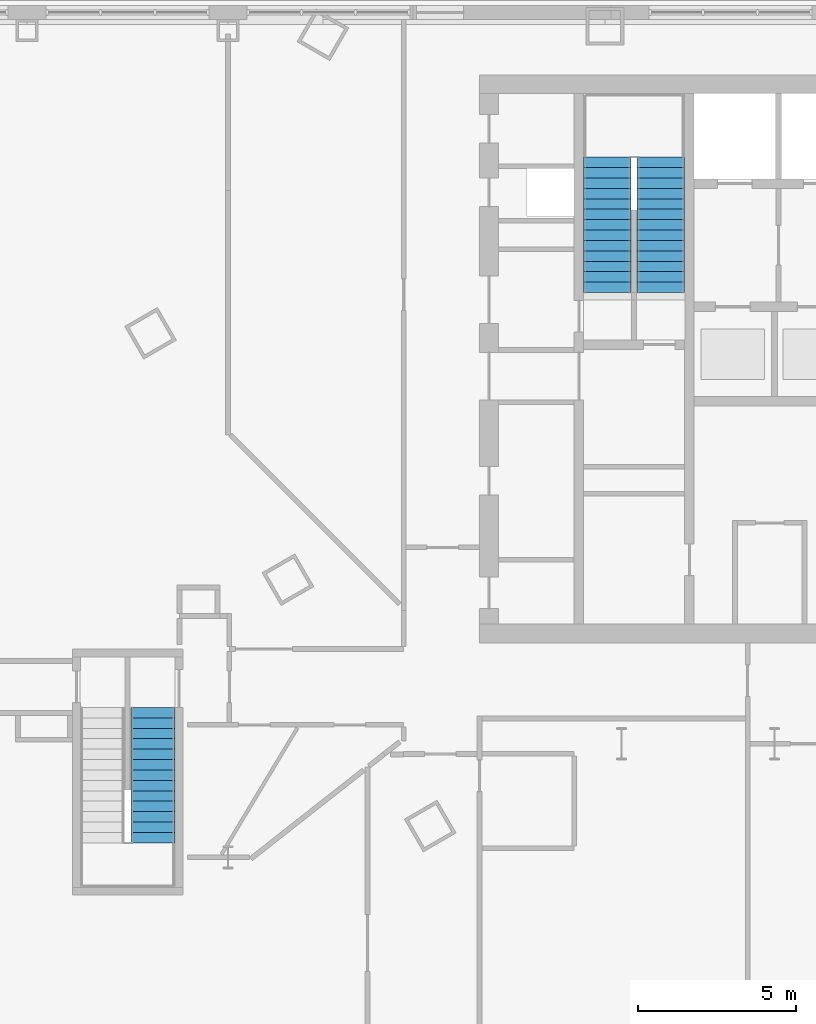
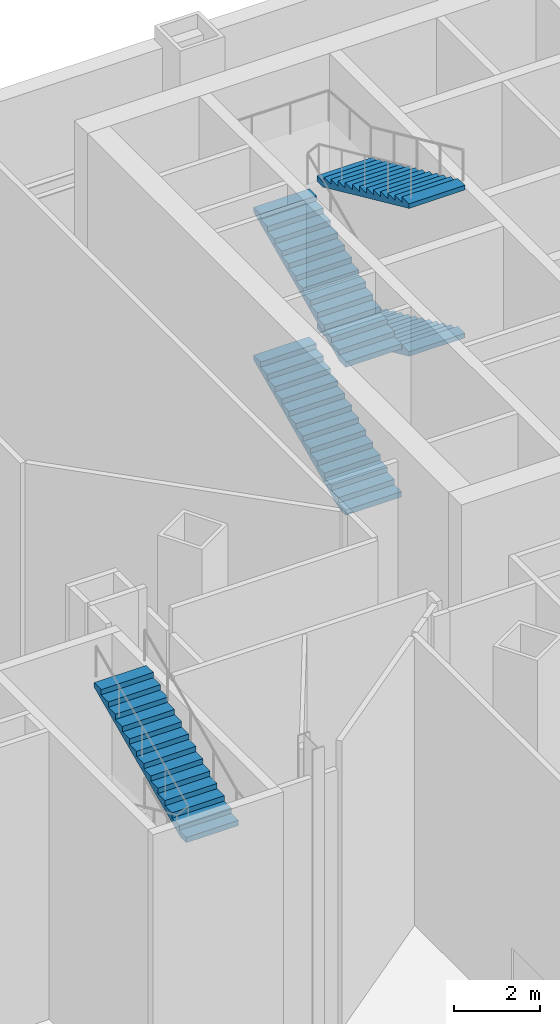
# One storey, part 28 of 34: 5 stair flights, 2 elements without a shape of their own.
"""IFC4 building model written with IfcOpenShell, lengths in metres."""

import ifcopenshell
import ifcopenshell.guid

model = None  # the IFC model being written
_history = None  # IfcOwnerHistory: only IFC2X3 demands one
_inside = {}  # id of a spatial element -> (the spatial element, [elements in it])
_under = {}  # id of a project, library or spatial element -> (it, [spatial elements below it])
_declared = {}  # id of a project -> (the project, [libraries it declares])
_typed = {}  # id of a type object -> (the type object, [elements of that type])
_made_of = {}  # id of a material, layer set ... -> (it, [elements and type objects made of it])


def new_model(schema):
    """Start an empty IFC model of exactly this schema.

    Asked for "IFC4X3", IfcOpenShell would pick the latest addendum, in which some entities
    have other attributes; the version numbers below select the first issue.
    IFC2X3 requires an IfcOwnerHistory on every rooted entity: one is made here for all.
    """
    global model, _history
    if schema == "IFC4X3":
        model = ifcopenshell.file(schema_version=(4, 3, 0, 0))
    else:
        model = ifcopenshell.file(schema=schema)
    _inside.clear()
    _under.clear()
    _declared.clear()
    _typed.clear()
    _made_of.clear()
    _history = None
    if model.schema == "IFC2X3":
        org = make("IfcOrganization", Name="unknown")
        user = make(
            "IfcPersonAndOrganization",
            ThePerson=make("IfcPerson", FamilyName="unknown"),
            TheOrganization=org,
        )
        app = make(
            "IfcApplication",
            ApplicationDeveloper=org,
            Version="unknown",
            ApplicationFullName="unknown",
            ApplicationIdentifier="unknown",
        )
        _history = make(
            "IfcOwnerHistory",
            OwningUser=user,
            OwningApplication=app,
            ChangeAction="ADDED",
            CreationDate=0,
        )
    return model


def make(cls, **values):
    """One entity of the class cls with the attributes given. An attribute that is None is left unset."""
    return model.create_entity(
        cls, **{name: value for name, value in values.items() if value is not None}
    )


def rooted(cls, **values):
    """An entity with a GlobalId (a new one), such as an element, a storey or a relation."""
    return make(cls, GlobalId=ifcopenshell.guid.new(), OwnerHistory=_history, **values)


def si_unit(unit_type, name, prefix=None):
    """IfcSIUnit, for example si_unit("LENGTHUNIT", "METRE", prefix="MILLI")."""
    return make("IfcSIUnit", UnitType=unit_type, Prefix=prefix, Name=name)


def assignment(units):
    """IfcUnitAssignment: the units of a project."""
    return None if units is None else make("IfcUnitAssignment", Units=units)


def point(xyz):
    """IfcCartesianPoint."""
    return None if xyz is None else make("IfcCartesianPoint", Coordinates=xyz)


def direction(xyz):
    """IfcDirection."""
    return None if xyz is None else make("IfcDirection", DirectionRatios=xyz)


def frame(location, z_axis=None, x_axis=None):
    """IfcAxis2Placement3D, a coordinate frame: its origin and axes. An axis left out is left unset."""
    return make(
        "IfcAxis2Placement3D",
        Location=point(location),
        Axis=direction(z_axis),
        RefDirection=direction(x_axis),
    )


def origin():
    """The frame at (0, 0, 0) with its axes left unset."""
    return frame((0.0, 0.0, 0.0))


def place(relative_to, where):
    """IfcLocalPlacement: puts the frame where relative to a parent placement (None: the world)."""
    return make(
        "IfcLocalPlacement", PlacementRelTo=relative_to, RelativePlacement=where
    )


def context(
    kind, dimensions, precision=None, world=None, true_north=None, identifier=None
):
    """IfcGeometricRepresentationContext, for example the 3D "Model" context."""
    return make(
        "IfcGeometricRepresentationContext",
        ContextIdentifier=identifier,
        ContextType=kind,
        CoordinateSpaceDimension=dimensions,
        Precision=precision,
        WorldCoordinateSystem=world,
        TrueNorth=true_north,
    )


def subcontext(parent, identifier, kind, view, scale=None):
    """IfcGeometricRepresentationSubContext, for example "Body" below "Model"."""
    return make(
        "IfcGeometricRepresentationSubContext",
        ContextIdentifier=identifier,
        ContextType=kind,
        ParentContext=parent,
        TargetScale=scale,
        TargetView=view,
    )


def project(units=None, contexts=None):
    """IfcProject with its units and contexts."""
    return rooted(
        "IfcProject",
        Name="project",
        RepresentationContexts=contexts,
        UnitsInContext=assignment(units),
    )


def spatial(cls, under=None, at=None, **own):
    """A site, building, storey or space (cls), placed at a placement, below another one or the project."""
    s = rooted(cls, ObjectPlacement=at, **own)
    if under is not None:
        _under.setdefault(under.id(), (under, []))[1].append(s)
    return s


def point_list(points):
    """IfcCartesianPointList2D or 3D."""
    cls = (
        "IfcCartesianPointList2D" if len(points[0]) == 2 else "IfcCartesianPointList3D"
    )
    return make(cls, CoordList=points)


def polygons(points, faces, closed=None, point_numbers=None):
    """IfcPolygonalFaceSet: a face is its outer loop, then its inner loops; points numbered from 1."""
    made = []
    for loops in faces:
        if len(loops) == 1:
            made.append(make("IfcIndexedPolygonalFace", CoordIndex=loops[0]))
        else:
            made.append(
                make(
                    "IfcIndexedPolygonalFaceWithVoids",
                    CoordIndex=loops[0],
                    InnerCoordIndices=loops[1:],
                )
            )
    return make(
        "IfcPolygonalFaceSet",
        Coordinates=point_list(points),
        Closed=closed,
        Faces=made,
        PnIndex=point_numbers,
    )


def shape(context_of_items, identifier, shape_type, items):
    """IfcShapeRepresentation: the items that make up one representation, for example the "Body"."""
    return make(
        "IfcShapeRepresentation",
        ContextOfItems=context_of_items,
        RepresentationIdentifier=identifier,
        RepresentationType=shape_type,
        Items=items,
    )


def material(Name=None, Category=None):
    """IfcMaterial."""
    return make("IfcMaterial", Name=Name, Category=Category)


def made_of(thing, what):
    """Note that an element or type object is made of a material, layer set ...; save() writes the relation."""
    if what is not None:
        _made_of.setdefault(what.id(), (what, []))[1].append(thing)
    return thing


def type_object(cls, material=None, **own):
    """A type object (cls), such as IfcWallType, which elements share."""
    return made_of(rooted(cls, **own), material)


def element(
    cls,
    number,
    at=None,
    inside=None,
    cuts=None,
    type_object=None,
    material=None,
    context=None,
    identifier="Body",
    shape_type=None,
    held_by="IfcProductDefinitionShape",
    body=None,
    shapes=None,
    **own,
):
    """One element of the class cls, such as IfcWall. Its Tag is "e" and its number.

    at: its placement. inside: the storey or other place that contains it. cuts: it is an
    opening in that element (IfcRelVoidsElement). A single representation is given by context,
    identifier, shape_type and body (its items); several are given by shapes. held_by: the class
    of the entity that holds the representations. save() writes the other relations.
    """
    e = rooted(cls, Tag="e%d" % number, ObjectPlacement=at, **own)
    if body is not None:
        shapes = [shape(context, identifier, shape_type, body)]
    if shapes is not None:
        e.Representation = make(held_by, Representations=shapes)
    if inside is not None:
        _inside.setdefault(inside.id(), (inside, []))[1].append(e)
    if cuts is not None:
        rooted(
            "IfcRelVoidsElement", RelatingBuildingElement=cuts, RelatedOpeningElement=e
        )
    if type_object is not None:
        _typed.setdefault(type_object.id(), (type_object, []))[1].append(e)
    return made_of(e, material)


def aggregate(whole, parts):
    """IfcRelAggregates: a whole, such as a stair, and the parts it consists of."""
    return rooted("IfcRelAggregates", RelatingObject=whole, RelatedObjects=parts)


def save(model, path):
    """Write the relations noted so far, then the file.

    IfcRelAggregates (storeys below a building ...), IfcRelContainedInSpatialStructure (elements
    in a storey), IfcRelDefinesByType, IfcRelAssociatesMaterial and IfcRelDeclares: one each for
    every whole, place, type object, material and project.
    """
    for whole, parts in _under.values():
        aggregate(whole, parts)
    for where, things in _inside.values():
        rooted(
            "IfcRelContainedInSpatialStructure",
            RelatedElements=things,
            RelatingStructure=where,
        )
    for kind, things in _typed.values():
        rooted("IfcRelDefinesByType", RelatedObjects=things, RelatingType=kind)
    for what, things in _made_of.values():
        rooted("IfcRelAssociatesMaterial", RelatedObjects=things, RelatingMaterial=what)
    for by, libraries in _declared.values():
        rooted("IfcRelDeclares", RelatingContext=by, RelatedDefinitions=libraries)
    model.write(path)


model = new_model("IFC4")

# Units and contexts
model_context = context("Model", 3, precision=1e-05, world=origin(), true_north=direction((0.0, 1.0)))
body_context = subcontext(model_context, "Body", "Model", "MODEL_VIEW")
ifc_project = project(units=[si_unit("LENGTHUNIT", "METRE"), si_unit("AREAUNIT", "SQUARE_METRE"), si_unit("VOLUMEUNIT", "CUBIC_METRE"), si_unit("PLANEANGLEUNIT", "RADIAN"), si_unit("MASSUNIT", "GRAM", prefix="KILO")], contexts=[model_context])

# Site, building, storey
site_placement = place(None, origin())
site = spatial("IfcSite", under=ifc_project, at=site_placement, CompositionType="ELEMENT")
building_placement = place(site_placement, origin())
building = spatial("IfcBuilding", under=site, at=building_placement, Name="Njiva Tower", CompositionType="ELEMENT")
storey_placement = place(building_placement, origin())
storey = spatial("IfcBuildingStorey", under=building, at=storey_placement, Name="L00", CompositionType="ELEMENT", Elevation=0.0)

# Stair, stair flight
ifc_material = material(Name="Concrete C40/50", Category="concrete")
stair_type_1 = type_object("IfcStairType", Name="ST2 Exit stair 1400", PredefinedType="HALF_TURN_STAIR", material=ifc_material)
stair_1_placement = place(storey_placement, origin())
stair_1 = element("IfcStair", 1, at=stair_1_placement, inside=storey, type_object=stair_type_1, Name="Stair F", PredefinedType="DOUBLE_RETURN_STAIR")
stair_flight_type_1 = type_object("IfcStairFlightType", Name="FL2 Stair flight 1400", PredefinedType="STRAIGHT", material=ifc_material)
stair_flight_1_placement = place(storey_placement, frame((-27.85, -6.34, 6.3), z_axis=(0.0, 0.0, 1.0), x_axis=(0.0, 1.0, 0.0)))
stair_flight_1 = element("IfcStairFlight", 2, at=stair_flight_1_placement, type_object=stair_flight_type_1, Name="ST-F flight 4", NumberOfRisers=14, NumberOfTreads=13, PredefinedType="STRAIGHT", RiserHeight=0.15, TreadLength=0.33, context=body_context, shape_type="Tessellation", body=[
    polygons([(0.0, 0.7, 0.0), (0.0, 0.35, 0.0), (0.0, 0.0, 0.0), (0.0, -0.35, 0.0), (0.0, -0.7, 0.0), (0.0, 0.7, 0.15), (0.0, 0.35, 0.15), (0.0, 0.0, 0.15), (0.0, -0.35, 0.15), (0.0, -0.7, 0.15), (0.33, 0.7, 0.15), (0.33, 0.35, 0.15), (0.33, 0.0, 0.15), (0.33, -0.35, 0.15), (0.33, -0.7, 0.15), (0.33, 0.7, 0.3), (0.33, 0.35, 0.3), (0.33, 0.0, 0.3), (0.33, -0.35, 0.3), (0.33, -0.7, 0.3), (0.66, 0.7, 0.3), (0.66, 0.35, 0.3), (0.66, 0.0, 0.3), (0.66, -0.35, 0.3), (0.66, -0.7, 0.3), (0.66, 0.7, 0.45), (0.66, 0.35, 0.45), (0.66, 0.0, 0.45), (0.66, -0.35, 0.45), (0.66, -0.7, 0.45), (0.99, 0.7, 0.45), (0.99, 0.35, 0.45), (0.99, 0.0, 0.45), (0.99, -0.35, 0.45), (0.99, -0.7, 0.45), (0.99, 0.7, 0.6), (0.99, 0.35, 0.6), (0.99, 0.0, 0.6), (0.99, -0.35, 0.6), (0.99, -0.7, 0.6), (1.32, 0.7, 0.6), (1.32, 0.35, 0.6), (1.32, 0.0, 0.6), (1.32, -0.35, 0.6), (1.32, -0.7, 0.6), (1.32, 0.7, 0.75), (1.32, 0.35, 0.75), (1.32, 0.0, 0.75), (1.32, -0.35, 0.75), (1.32, -0.7, 0.75), (1.65, 0.7, 0.75), (1.65, 0.35, 0.75), (1.65, 0.0, 0.75), (1.65, -0.35, 0.75), (1.65, -0.7, 0.75), (1.65, 0.7, 0.9), (1.65, 0.35, 0.9), (1.65, 0.0, 0.9), (1.65, -0.35, 0.9), (1.65, -0.7, 0.9), (1.98, 0.7, 0.9), (1.98, 0.35, 0.9), (1.98, 0.0, 0.9), (1.98, -0.35, 0.9), (1.98, -0.7, 0.9), (1.98, 0.7, 1.05), (1.98, 0.35, 1.05), (1.98, 0.0, 1.05), (1.98, -0.35, 1.05), (1.98, -0.7, 1.05), (2.31, 0.7, 1.05), (2.31, 0.35, 1.05), (2.31, 0.0, 1.05), (2.31, -0.35, 1.05), (2.31, -0.7, 1.05), (2.31, 0.7, 1.2), (2.31, 0.35, 1.2), (2.31, 0.0, 1.2), (2.31, -0.35, 1.2), (2.31, -0.7, 1.2), (2.64, 0.7, 1.2), (2.64, 0.35, 1.2), (2.64, 0.0, 1.2), (2.64, -0.35, 1.2), (2.64, -0.7, 1.2), (2.64, 0.7, 1.35), (2.64, 0.35, 1.35), (2.64, 0.0, 1.35), (2.64, -0.35, 1.35), (2.64, -0.7, 1.35), (2.97, 0.7, 1.35), (2.97, 0.35, 1.35), (2.97, 0.0, 1.35), (2.97, -0.35, 1.35), (2.97, -0.7, 1.35), (2.97, 0.7, 1.5), (2.97, 0.35, 1.5), (2.97, 0.0, 1.5), (2.97, -0.35, 1.5), (2.97, -0.7, 1.5), (3.3, 0.7, 1.5), (3.3, 0.35, 1.5), (3.3, 0.0, 1.5), (3.3, -0.35, 1.5), (3.3, -0.7, 1.5), (3.3, 0.7, 1.65), (3.3, 0.35, 1.65), (3.3, 0.0, 1.65), (3.3, -0.35, 1.65), (3.3, -0.7, 1.65), (3.63, 0.7, 1.65), (3.63, 0.35, 1.65), (3.63, 0.0, 1.65), (3.63, -0.35, 1.65), (3.63, -0.7, 1.65), (3.63, 0.7, 1.8), (3.63, 0.35, 1.8), (3.63, 0.0, 1.8), (3.63, -0.35, 1.8), (3.63, -0.7, 1.8), (3.96, 0.7, 1.8), (3.96, 0.35, 1.8), (3.96, 0.0, 1.8), (3.96, -0.35, 1.8), (3.96, -0.7, 1.8), (3.96, 0.7, 1.95), (3.96, 0.35, 1.95), (3.96, 0.0, 1.95), (3.96, -0.35, 1.95), (3.96, -0.7, 1.95), (4.29, 0.7, 1.95), (4.29, 0.35, 1.95), (4.29, 0.0, 1.95), (4.29, -0.35, 1.95), (4.29, -0.7, 1.95), (4.29, 0.7, 1.8182), (4.29, 0.35, 1.8182), (4.29, 0.0, 1.8182), (4.29, -0.35, 1.8182), (4.29, -0.7, 1.8182), (0.29, 0.7, 0.0), (0.29, 0.35, 0.0), (0.29, 0.0, 0.0), (0.29, -0.35, 0.0), (0.29, -0.7, 0.0)], [[[1, 6, 11, 16, 21, 26, 31, 36, 41, 46, 51, 56, 61, 66, 71, 76, 81, 86, 91, 96, 101, 106, 111, 116, 121, 126, 131, 136, 141]], [[145, 140, 135, 130, 125, 120, 115, 110, 105, 100, 95, 90, 85, 80, 75, 70, 65, 60, 55, 50, 45, 40, 35, 30, 25, 20, 15, 10, 5]], [[6, 1, 2, 7]], [[7, 2, 3, 8]], [[8, 3, 4, 9]], [[9, 4, 5, 10]], [[11, 6, 7, 12]], [[12, 7, 8, 13]], [[13, 8, 9, 14]], [[14, 9, 10, 15]], [[16, 11, 12, 17]], [[17, 12, 13, 18]], [[18, 13, 14, 19]], [[19, 14, 15, 20]], [[21, 16, 17, 22]], [[22, 17, 18, 23]], [[23, 18, 19, 24]], [[24, 19, 20, 25]], [[26, 21, 22, 27]], [[27, 22, 23, 28]], [[28, 23, 24, 29]], [[29, 24, 25, 30]], [[31, 26, 27, 32]], [[32, 27, 28, 33]], [[33, 28, 29, 34]], [[34, 29, 30, 35]], [[36, 31, 32, 37]], [[37, 32, 33, 38]], [[38, 33, 34, 39]], [[39, 34, 35, 40]], [[41, 36, 37, 42]], [[42, 37, 38, 43]], [[43, 38, 39, 44]], [[44, 39, 40, 45]], [[46, 41, 42, 47]], [[47, 42, 43, 48]], [[48, 43, 44, 49]], [[49, 44, 45, 50]], [[51, 46, 47, 52]], [[52, 47, 48, 53]], [[53, 48, 49, 54]], [[54, 49, 50, 55]], [[56, 51, 52, 57]], [[57, 52, 53, 58]], [[58, 53, 54, 59]], [[59, 54, 55, 60]], [[61, 56, 57, 62]], [[62, 57, 58, 63]], [[63, 58, 59, 64]], [[64, 59, 60, 65]], [[66, 61, 62, 67]], [[67, 62, 63, 68]], [[68, 63, 64, 69]], [[69, 64, 65, 70]], [[71, 66, 67, 72]], [[72, 67, 68, 73]], [[73, 68, 69, 74]], [[74, 69, 70, 75]], [[76, 71, 72, 77]], [[77, 72, 73, 78]], [[78, 73, 74, 79]], [[79, 74, 75, 80]], [[81, 76, 77, 82]], [[82, 77, 78, 83]], [[83, 78, 79, 84]], [[84, 79, 80, 85]], [[86, 81, 82, 87]], [[87, 82, 83, 88]], [[88, 83, 84, 89]], [[89, 84, 85, 90]], [[91, 86, 87, 92]], [[92, 87, 88, 93]], [[93, 88, 89, 94]], [[94, 89, 90, 95]], [[96, 91, 92, 97]], [[97, 92, 93, 98]], [[98, 93, 94, 99]], [[99, 94, 95, 100]], [[101, 96, 97, 102]], [[102, 97, 98, 103]], [[103, 98, 99, 104]], [[104, 99, 100, 105]], [[106, 101, 102, 107]], [[107, 102, 103, 108]], [[108, 103, 104, 109]], [[109, 104, 105, 110]], [[111, 106, 107, 112]], [[112, 107, 108, 113]], [[113, 108, 109, 114]], [[114, 109, 110, 115]], [[116, 111, 112, 117]], [[117, 112, 113, 118]], [[118, 113, 114, 119]], [[119, 114, 115, 120]], [[121, 116, 117, 122]], [[122, 117, 118, 123]], [[123, 118, 119, 124]], [[124, 119, 120, 125]], [[126, 121, 122, 127]], [[127, 122, 123, 128]], [[128, 123, 124, 129]], [[129, 124, 125, 130]], [[131, 126, 127, 132]], [[132, 127, 128, 133]], [[133, 128, 129, 134]], [[134, 129, 130, 135]], [[136, 131, 132, 137]], [[137, 132, 133, 138]], [[138, 133, 134, 139]], [[139, 134, 135, 140]], [[141, 136, 137, 142]], [[142, 137, 138, 143]], [[143, 138, 139, 144]], [[144, 139, 140, 145]], [[1, 141, 142, 2]], [[2, 142, 143, 3]], [[3, 143, 144, 4]], [[4, 144, 145, 5]]], closed=True),
])
aggregate(stair_1, [stair_flight_1])

# Stair, stair flights
stair_type_2 = type_object("IfcStairType", Name="ST4 Exit stair 1500", PredefinedType="HALF_TURN_STAIR", material=ifc_material)
stair_2_placement = place(storey_placement, origin())
stair_2 = element("IfcStair", 3, at=stair_2_placement, inside=storey, type_object=stair_type_2, Name="Stair A", PredefinedType="DOUBLE_RETURN_STAIR")
stair_flight_type_2 = type_object("IfcStairFlightType", Name="FL4 Stair flight 1500", PredefinedType="STRAIGHT", material=ifc_material)
stair_flight_2_placement = place(storey_placement, frame((-13.45, 11.1, 0.0), z_axis=(0.0, 0.0, 1.0), x_axis=(0.0, 1.0, 0.0)))
stair_flight_2 = element("IfcStairFlight", 4, at=stair_flight_2_placement, type_object=stair_flight_type_2, Name="ST-A flight 1", NumberOfRisers=14, NumberOfTreads=13, PredefinedType="STRAIGHT", RiserHeight=0.15, TreadLength=0.33, context=body_context, shape_type="Tessellation", body=[
    polygons([(0.0, 0.75, 0.0), (0.0, 0.375, 0.0), (0.0, 0.0, 0.0), (0.0, -0.375, 0.0), (0.0, -0.75, 0.0), (0.0, 0.75, 0.15), (0.0, 0.375, 0.15), (0.0, 0.0, 0.15), (0.0, -0.375, 0.15), (0.0, -0.75, 0.15), (0.33, 0.75, 0.15), (0.33, 0.375, 0.15), (0.33, 0.0, 0.15), (0.33, -0.375, 0.15), (0.33, -0.75, 0.15), (0.33, 0.75, 0.3), (0.33, 0.375, 0.3), (0.33, 0.0, 0.3), (0.33, -0.375, 0.3), (0.33, -0.75, 0.3), (0.66, 0.75, 0.3), (0.66, 0.375, 0.3), (0.66, 0.0, 0.3), (0.66, -0.375, 0.3), (0.66, -0.75, 0.3), (0.66, 0.75, 0.45), (0.66, 0.375, 0.45), (0.66, 0.0, 0.45), (0.66, -0.375, 0.45), (0.66, -0.75, 0.45), (0.99, 0.75, 0.45), (0.99, 0.375, 0.45), (0.99, 0.0, 0.45), (0.99, -0.375, 0.45), (0.99, -0.75, 0.45), (0.99, 0.75, 0.6), (0.99, 0.375, 0.6), (0.99, 0.0, 0.6), (0.99, -0.375, 0.6), (0.99, -0.75, 0.6), (1.32, 0.75, 0.6), (1.32, 0.375, 0.6), (1.32, 0.0, 0.6), (1.32, -0.375, 0.6), (1.32, -0.75, 0.6), (1.32, 0.75, 0.75), (1.32, 0.375, 0.75), (1.32, 0.0, 0.75), (1.32, -0.375, 0.75), (1.32, -0.75, 0.75), (1.65, 0.75, 0.75), (1.65, 0.375, 0.75), (1.65, 0.0, 0.75), (1.65, -0.375, 0.75), (1.65, -0.75, 0.75), (1.65, 0.75, 0.9), (1.65, 0.375, 0.9), (1.65, 0.0, 0.9), (1.65, -0.375, 0.9), (1.65, -0.75, 0.9), (1.98, 0.75, 0.9), (1.98, 0.375, 0.9), (1.98, 0.0, 0.9), (1.98, -0.375, 0.9), (1.98, -0.75, 0.9), (1.98, 0.75, 1.05), (1.98, 0.375, 1.05), (1.98, 0.0, 1.05), (1.98, -0.375, 1.05), (1.98, -0.75, 1.05), (2.31, 0.75, 1.05), (2.31, 0.375, 1.05), (2.31, 0.0, 1.05), (2.31, -0.375, 1.05), (2.31, -0.75, 1.05), (2.31, 0.75, 1.2), (2.31, 0.375, 1.2), (2.31, 0.0, 1.2), (2.31, -0.375, 1.2), (2.31, -0.75, 1.2), (2.64, 0.75, 1.2), (2.64, 0.375, 1.2), (2.64, 0.0, 1.2), (2.64, -0.375, 1.2), (2.64, -0.75, 1.2), (2.64, 0.75, 1.35), (2.64, 0.375, 1.35), (2.64, 0.0, 1.35), (2.64, -0.375, 1.35), (2.64, -0.75, 1.35), (2.97, 0.75, 1.35), (2.97, 0.375, 1.35), (2.97, 0.0, 1.35), (2.97, -0.375, 1.35), (2.97, -0.75, 1.35), (2.97, 0.75, 1.5), (2.97, 0.375, 1.5), (2.97, 0.0, 1.5), (2.97, -0.375, 1.5), (2.97, -0.75, 1.5), (3.3, 0.75, 1.5), (3.3, 0.375, 1.5), (3.3, 0.0, 1.5), (3.3, -0.375, 1.5), (3.3, -0.75, 1.5), (3.3, 0.75, 1.65), (3.3, 0.375, 1.65), (3.3, 0.0, 1.65), (3.3, -0.375, 1.65), (3.3, -0.75, 1.65), (3.63, 0.75, 1.65), (3.63, 0.375, 1.65), (3.63, 0.0, 1.65), (3.63, -0.375, 1.65), (3.63, -0.75, 1.65), (3.63, 0.75, 1.8), (3.63, 0.375, 1.8), (3.63, 0.0, 1.8), (3.63, -0.375, 1.8), (3.63, -0.75, 1.8), (3.96, 0.75, 1.8), (3.96, 0.375, 1.8), (3.96, 0.0, 1.8), (3.96, -0.375, 1.8), (3.96, -0.75, 1.8), (3.96, 0.75, 1.95), (3.96, 0.375, 1.95), (3.96, 0.0, 1.95), (3.96, -0.375, 1.95), (3.96, -0.75, 1.95), (4.29, 0.75, 1.95), (4.29, 0.375, 1.95), (4.29, 0.0, 1.95), (4.29, -0.375, 1.95), (4.29, -0.75, 1.95), (4.29, 0.75, 1.8182), (4.29, 0.375, 1.8182), (4.29, 0.0, 1.8182), (4.29, -0.375, 1.8182), (4.29, -0.75, 1.8182), (0.29, 0.75, 0.0), (0.29, 0.375, 0.0), (0.29, 0.0, 0.0), (0.29, -0.375, 0.0), (0.29, -0.75, 0.0)], [[[1, 6, 11, 16, 21, 26, 31, 36, 41, 46, 51, 56, 61, 66, 71, 76, 81, 86, 91, 96, 101, 106, 111, 116, 121, 126, 131, 136, 141]], [[145, 140, 135, 130, 125, 120, 115, 110, 105, 100, 95, 90, 85, 80, 75, 70, 65, 60, 55, 50, 45, 40, 35, 30, 25, 20, 15, 10, 5]], [[6, 1, 2, 7]], [[7, 2, 3, 8]], [[8, 3, 4, 9]], [[9, 4, 5, 10]], [[11, 6, 7, 12]], [[12, 7, 8, 13]], [[13, 8, 9, 14]], [[14, 9, 10, 15]], [[16, 11, 12, 17]], [[17, 12, 13, 18]], [[18, 13, 14, 19]], [[19, 14, 15, 20]], [[21, 16, 17, 22]], [[22, 17, 18, 23]], [[23, 18, 19, 24]], [[24, 19, 20, 25]], [[26, 21, 22, 27]], [[27, 22, 23, 28]], [[28, 23, 24, 29]], [[29, 24, 25, 30]], [[31, 26, 27, 32]], [[32, 27, 28, 33]], [[33, 28, 29, 34]], [[34, 29, 30, 35]], [[36, 31, 32, 37]], [[37, 32, 33, 38]], [[38, 33, 34, 39]], [[39, 34, 35, 40]], [[41, 36, 37, 42]], [[42, 37, 38, 43]], [[43, 38, 39, 44]], [[44, 39, 40, 45]], [[46, 41, 42, 47]], [[47, 42, 43, 48]], [[48, 43, 44, 49]], [[49, 44, 45, 50]], [[51, 46, 47, 52]], [[52, 47, 48, 53]], [[53, 48, 49, 54]], [[54, 49, 50, 55]], [[56, 51, 52, 57]], [[57, 52, 53, 58]], [[58, 53, 54, 59]], [[59, 54, 55, 60]], [[61, 56, 57, 62]], [[62, 57, 58, 63]], [[63, 58, 59, 64]], [[64, 59, 60, 65]], [[66, 61, 62, 67]], [[67, 62, 63, 68]], [[68, 63, 64, 69]], [[69, 64, 65, 70]], [[71, 66, 67, 72]], [[72, 67, 68, 73]], [[73, 68, 69, 74]], [[74, 69, 70, 75]], [[76, 71, 72, 77]], [[77, 72, 73, 78]], [[78, 73, 74, 79]], [[79, 74, 75, 80]], [[81, 76, 77, 82]], [[82, 77, 78, 83]], [[83, 78, 79, 84]], [[84, 79, 80, 85]], [[86, 81, 82, 87]], [[87, 82, 83, 88]], [[88, 83, 84, 89]], [[89, 84, 85, 90]], [[91, 86, 87, 92]], [[92, 87, 88, 93]], [[93, 88, 89, 94]], [[94, 89, 90, 95]], [[96, 91, 92, 97]], [[97, 92, 93, 98]], [[98, 93, 94, 99]], [[99, 94, 95, 100]], [[101, 96, 97, 102]], [[102, 97, 98, 103]], [[103, 98, 99, 104]], [[104, 99, 100, 105]], [[106, 101, 102, 107]], [[107, 102, 103, 108]], [[108, 103, 104, 109]], [[109, 104, 105, 110]], [[111, 106, 107, 112]], [[112, 107, 108, 113]], [[113, 108, 109, 114]], [[114, 109, 110, 115]], [[116, 111, 112, 117]], [[117, 112, 113, 118]], [[118, 113, 114, 119]], [[119, 114, 115, 120]], [[121, 116, 117, 122]], [[122, 117, 118, 123]], [[123, 118, 119, 124]], [[124, 119, 120, 125]], [[126, 121, 122, 127]], [[127, 122, 123, 128]], [[128, 123, 124, 129]], [[129, 124, 125, 130]], [[131, 126, 127, 132]], [[132, 127, 128, 133]], [[133, 128, 129, 134]], [[134, 129, 130, 135]], [[136, 131, 132, 137]], [[137, 132, 133, 138]], [[138, 133, 134, 139]], [[139, 134, 135, 140]], [[141, 136, 137, 142]], [[142, 137, 138, 143]], [[143, 138, 139, 144]], [[144, 139, 140, 145]], [[1, 141, 142, 2]], [[2, 142, 143, 3]], [[3, 143, 144, 4]], [[4, 144, 145, 5]]], closed=True),
])
stair_flight_3_placement = place(storey_placement, frame((-11.75, 15.39, 2.1), z_axis=(0.0, 0.0, 1.0), x_axis=(0.0, -1.0, 0.0)))
stair_flight_3 = element("IfcStairFlight", 5, at=stair_flight_3_placement, type_object=stair_flight_type_2, Name="ST-A flight 2", NumberOfRisers=14, NumberOfTreads=13, PredefinedType="STRAIGHT", RiserHeight=0.15, TreadLength=0.33, context=body_context, shape_type="Tessellation", body=[
    polygons([(0.0, 0.75, 0.0), (0.0, 0.375, 0.0), (0.0, 0.0, 0.0), (0.0, -0.375, 0.0), (0.0, -0.75, 0.0), (0.0, 0.75, 0.15), (0.0, 0.375, 0.15), (0.0, 0.0, 0.15), (0.0, -0.375, 0.15), (0.0, -0.75, 0.15), (0.33, 0.75, 0.15), (0.33, 0.375, 0.15), (0.33, 0.0, 0.15), (0.33, -0.375, 0.15), (0.33, -0.75, 0.15), (0.33, 0.75, 0.3), (0.33, 0.375, 0.3), (0.33, 0.0, 0.3), (0.33, -0.375, 0.3), (0.33, -0.75, 0.3), (0.66, 0.75, 0.3), (0.66, 0.375, 0.3), (0.66, 0.0, 0.3), (0.66, -0.375, 0.3), (0.66, -0.75, 0.3), (0.66, 0.75, 0.45), (0.66, 0.375, 0.45), (0.66, 0.0, 0.45), (0.66, -0.375, 0.45), (0.66, -0.75, 0.45), (0.99, 0.75, 0.45), (0.99, 0.375, 0.45), (0.99, 0.0, 0.45), (0.99, -0.375, 0.45), (0.99, -0.75, 0.45), (0.99, 0.75, 0.6), (0.99, 0.375, 0.6), (0.99, 0.0, 0.6), (0.99, -0.375, 0.6), (0.99, -0.75, 0.6), (1.32, 0.75, 0.6), (1.32, 0.375, 0.6), (1.32, 0.0, 0.6), (1.32, -0.375, 0.6), (1.32, -0.75, 0.6), (1.32, 0.75, 0.75), (1.32, 0.375, 0.75), (1.32, 0.0, 0.75), (1.32, -0.375, 0.75), (1.32, -0.75, 0.75), (1.65, 0.75, 0.75), (1.65, 0.375, 0.75), (1.65, 0.0, 0.75), (1.65, -0.375, 0.75), (1.65, -0.75, 0.75), (1.65, 0.75, 0.9), (1.65, 0.375, 0.9), (1.65, 0.0, 0.9), (1.65, -0.375, 0.9), (1.65, -0.75, 0.9), (1.98, 0.75, 0.9), (1.98, 0.375, 0.9), (1.98, 0.0, 0.9), (1.98, -0.375, 0.9), (1.98, -0.75, 0.9), (1.98, 0.75, 1.05), (1.98, 0.375, 1.05), (1.98, 0.0, 1.05), (1.98, -0.375, 1.05), (1.98, -0.75, 1.05), (2.31, 0.75, 1.05), (2.31, 0.375, 1.05), (2.31, 0.0, 1.05), (2.31, -0.375, 1.05), (2.31, -0.75, 1.05), (2.31, 0.75, 1.2), (2.31, 0.375, 1.2), (2.31, 0.0, 1.2), (2.31, -0.375, 1.2), (2.31, -0.75, 1.2), (2.64, 0.75, 1.2), (2.64, 0.375, 1.2), (2.64, 0.0, 1.2), (2.64, -0.375, 1.2), (2.64, -0.75, 1.2), (2.64, 0.75, 1.35), (2.64, 0.375, 1.35), (2.64, 0.0, 1.35), (2.64, -0.375, 1.35), (2.64, -0.75, 1.35), (2.97, 0.75, 1.35), (2.97, 0.375, 1.35), (2.97, 0.0, 1.35), (2.97, -0.375, 1.35), (2.97, -0.75, 1.35), (2.97, 0.75, 1.5), (2.97, 0.375, 1.5), (2.97, 0.0, 1.5), (2.97, -0.375, 1.5), (2.97, -0.75, 1.5), (3.3, 0.75, 1.5), (3.3, 0.375, 1.5), (3.3, 0.0, 1.5), (3.3, -0.375, 1.5), (3.3, -0.75, 1.5), (3.3, 0.75, 1.65), (3.3, 0.375, 1.65), (3.3, 0.0, 1.65), (3.3, -0.375, 1.65), (3.3, -0.75, 1.65), (3.63, 0.75, 1.65), (3.63, 0.375, 1.65), (3.63, 0.0, 1.65), (3.63, -0.375, 1.65), (3.63, -0.75, 1.65), (3.63, 0.75, 1.8), (3.63, 0.375, 1.8), (3.63, 0.0, 1.8), (3.63, -0.375, 1.8), (3.63, -0.75, 1.8), (3.96, 0.75, 1.8), (3.96, 0.375, 1.8), (3.96, 0.0, 1.8), (3.96, -0.375, 1.8), (3.96, -0.75, 1.8), (3.96, 0.75, 1.95), (3.96, 0.375, 1.95), (3.96, 0.0, 1.95), (3.96, -0.375, 1.95), (3.96, -0.75, 1.95), (4.29, 0.75, 1.95), (4.29, 0.375, 1.95), (4.29, 0.0, 1.95), (4.29, -0.375, 1.95), (4.29, -0.75, 1.95), (4.29, 0.75, 1.8182), (4.29, 0.375, 1.8182), (4.29, 0.0, 1.8182), (4.29, -0.375, 1.8182), (4.29, -0.75, 1.8182), (0.29, 0.75, 0.0), (0.29, 0.375, 0.0), (0.29, 0.0, 0.0), (0.29, -0.375, 0.0), (0.29, -0.75, 0.0)], [[[1, 6, 11, 16, 21, 26, 31, 36, 41, 46, 51, 56, 61, 66, 71, 76, 81, 86, 91, 96, 101, 106, 111, 116, 121, 126, 131, 136, 141]], [[145, 140, 135, 130, 125, 120, 115, 110, 105, 100, 95, 90, 85, 80, 75, 70, 65, 60, 55, 50, 45, 40, 35, 30, 25, 20, 15, 10, 5]], [[6, 1, 2, 7]], [[7, 2, 3, 8]], [[8, 3, 4, 9]], [[9, 4, 5, 10]], [[11, 6, 7, 12]], [[12, 7, 8, 13]], [[13, 8, 9, 14]], [[14, 9, 10, 15]], [[16, 11, 12, 17]], [[17, 12, 13, 18]], [[18, 13, 14, 19]], [[19, 14, 15, 20]], [[21, 16, 17, 22]], [[22, 17, 18, 23]], [[23, 18, 19, 24]], [[24, 19, 20, 25]], [[26, 21, 22, 27]], [[27, 22, 23, 28]], [[28, 23, 24, 29]], [[29, 24, 25, 30]], [[31, 26, 27, 32]], [[32, 27, 28, 33]], [[33, 28, 29, 34]], [[34, 29, 30, 35]], [[36, 31, 32, 37]], [[37, 32, 33, 38]], [[38, 33, 34, 39]], [[39, 34, 35, 40]], [[41, 36, 37, 42]], [[42, 37, 38, 43]], [[43, 38, 39, 44]], [[44, 39, 40, 45]], [[46, 41, 42, 47]], [[47, 42, 43, 48]], [[48, 43, 44, 49]], [[49, 44, 45, 50]], [[51, 46, 47, 52]], [[52, 47, 48, 53]], [[53, 48, 49, 54]], [[54, 49, 50, 55]], [[56, 51, 52, 57]], [[57, 52, 53, 58]], [[58, 53, 54, 59]], [[59, 54, 55, 60]], [[61, 56, 57, 62]], [[62, 57, 58, 63]], [[63, 58, 59, 64]], [[64, 59, 60, 65]], [[66, 61, 62, 67]], [[67, 62, 63, 68]], [[68, 63, 64, 69]], [[69, 64, 65, 70]], [[71, 66, 67, 72]], [[72, 67, 68, 73]], [[73, 68, 69, 74]], [[74, 69, 70, 75]], [[76, 71, 72, 77]], [[77, 72, 73, 78]], [[78, 73, 74, 79]], [[79, 74, 75, 80]], [[81, 76, 77, 82]], [[82, 77, 78, 83]], [[83, 78, 79, 84]], [[84, 79, 80, 85]], [[86, 81, 82, 87]], [[87, 82, 83, 88]], [[88, 83, 84, 89]], [[89, 84, 85, 90]], [[91, 86, 87, 92]], [[92, 87, 88, 93]], [[93, 88, 89, 94]], [[94, 89, 90, 95]], [[96, 91, 92, 97]], [[97, 92, 93, 98]], [[98, 93, 94, 99]], [[99, 94, 95, 100]], [[101, 96, 97, 102]], [[102, 97, 98, 103]], [[103, 98, 99, 104]], [[104, 99, 100, 105]], [[106, 101, 102, 107]], [[107, 102, 103, 108]], [[108, 103, 104, 109]], [[109, 104, 105, 110]], [[111, 106, 107, 112]], [[112, 107, 108, 113]], [[113, 108, 109, 114]], [[114, 109, 110, 115]], [[116, 111, 112, 117]], [[117, 112, 113, 118]], [[118, 113, 114, 119]], [[119, 114, 115, 120]], [[121, 116, 117, 122]], [[122, 117, 118, 123]], [[123, 118, 119, 124]], [[124, 119, 120, 125]], [[126, 121, 122, 127]], [[127, 122, 123, 128]], [[128, 123, 124, 129]], [[129, 124, 125, 130]], [[131, 126, 127, 132]], [[132, 127, 128, 133]], [[133, 128, 129, 134]], [[134, 129, 130, 135]], [[136, 131, 132, 137]], [[137, 132, 133, 138]], [[138, 133, 134, 139]], [[139, 134, 135, 140]], [[141, 136, 137, 142]], [[142, 137, 138, 143]], [[143, 138, 139, 144]], [[144, 139, 140, 145]], [[1, 141, 142, 2]], [[2, 142, 143, 3]], [[3, 143, 144, 4]], [[4, 144, 145, 5]]], closed=True),
])
stair_flight_4_placement = place(storey_placement, frame((-13.45, 11.1, 4.2), z_axis=(0.0, 0.0, 1.0), x_axis=(0.0, 1.0, 0.0)))
stair_flight_4 = element("IfcStairFlight", 6, at=stair_flight_4_placement, type_object=stair_flight_type_2, Name="ST-A flight 3", NumberOfRisers=14, NumberOfTreads=13, PredefinedType="STRAIGHT", RiserHeight=0.15, TreadLength=0.33, context=body_context, shape_type="Tessellation", body=[
    polygons([(0.0, 0.75, 0.0), (0.0, 0.375, 0.0), (0.0, 0.0, 0.0), (0.0, -0.375, 0.0), (0.0, -0.75, 0.0), (0.0, 0.75, 0.15), (0.0, 0.375, 0.15), (0.0, 0.0, 0.15), (0.0, -0.375, 0.15), (0.0, -0.75, 0.15), (0.33, 0.75, 0.15), (0.33, 0.375, 0.15), (0.33, 0.0, 0.15), (0.33, -0.375, 0.15), (0.33, -0.75, 0.15), (0.33, 0.75, 0.3), (0.33, 0.375, 0.3), (0.33, 0.0, 0.3), (0.33, -0.375, 0.3), (0.33, -0.75, 0.3), (0.66, 0.75, 0.3), (0.66, 0.375, 0.3), (0.66, 0.0, 0.3), (0.66, -0.375, 0.3), (0.66, -0.75, 0.3), (0.66, 0.75, 0.45), (0.66, 0.375, 0.45), (0.66, 0.0, 0.45), (0.66, -0.375, 0.45), (0.66, -0.75, 0.45), (0.99, 0.75, 0.45), (0.99, 0.375, 0.45), (0.99, 0.0, 0.45), (0.99, -0.375, 0.45), (0.99, -0.75, 0.45), (0.99, 0.75, 0.6), (0.99, 0.375, 0.6), (0.99, 0.0, 0.6), (0.99, -0.375, 0.6), (0.99, -0.75, 0.6), (1.32, 0.75, 0.6), (1.32, 0.375, 0.6), (1.32, 0.0, 0.6), (1.32, -0.375, 0.6), (1.32, -0.75, 0.6), (1.32, 0.75, 0.75), (1.32, 0.375, 0.75), (1.32, 0.0, 0.75), (1.32, -0.375, 0.75), (1.32, -0.75, 0.75), (1.65, 0.75, 0.75), (1.65, 0.375, 0.75), (1.65, 0.0, 0.75), (1.65, -0.375, 0.75), (1.65, -0.75, 0.75), (1.65, 0.75, 0.9), (1.65, 0.375, 0.9), (1.65, 0.0, 0.9), (1.65, -0.375, 0.9), (1.65, -0.75, 0.9), (1.98, 0.75, 0.9), (1.98, 0.375, 0.9), (1.98, 0.0, 0.9), (1.98, -0.375, 0.9), (1.98, -0.75, 0.9), (1.98, 0.75, 1.05), (1.98, 0.375, 1.05), (1.98, 0.0, 1.05), (1.98, -0.375, 1.05), (1.98, -0.75, 1.05), (2.31, 0.75, 1.05), (2.31, 0.375, 1.05), (2.31, 0.0, 1.05), (2.31, -0.375, 1.05), (2.31, -0.75, 1.05), (2.31, 0.75, 1.2), (2.31, 0.375, 1.2), (2.31, 0.0, 1.2), (2.31, -0.375, 1.2), (2.31, -0.75, 1.2), (2.64, 0.75, 1.2), (2.64, 0.375, 1.2), (2.64, 0.0, 1.2), (2.64, -0.375, 1.2), (2.64, -0.75, 1.2), (2.64, 0.75, 1.35), (2.64, 0.375, 1.35), (2.64, 0.0, 1.35), (2.64, -0.375, 1.35), (2.64, -0.75, 1.35), (2.97, 0.75, 1.35), (2.97, 0.375, 1.35), (2.97, 0.0, 1.35), (2.97, -0.375, 1.35), (2.97, -0.75, 1.35), (2.97, 0.75, 1.5), (2.97, 0.375, 1.5), (2.97, 0.0, 1.5), (2.97, -0.375, 1.5), (2.97, -0.75, 1.5), (3.3, 0.75, 1.5), (3.3, 0.375, 1.5), (3.3, 0.0, 1.5), (3.3, -0.375, 1.5), (3.3, -0.75, 1.5), (3.3, 0.75, 1.65), (3.3, 0.375, 1.65), (3.3, 0.0, 1.65), (3.3, -0.375, 1.65), (3.3, -0.75, 1.65), (3.63, 0.75, 1.65), (3.63, 0.375, 1.65), (3.63, 0.0, 1.65), (3.63, -0.375, 1.65), (3.63, -0.75, 1.65), (3.63, 0.75, 1.8), (3.63, 0.375, 1.8), (3.63, 0.0, 1.8), (3.63, -0.375, 1.8), (3.63, -0.75, 1.8), (3.96, 0.75, 1.8), (3.96, 0.375, 1.8), (3.96, 0.0, 1.8), (3.96, -0.375, 1.8), (3.96, -0.75, 1.8), (3.96, 0.75, 1.95), (3.96, 0.375, 1.95), (3.96, 0.0, 1.95), (3.96, -0.375, 1.95), (3.96, -0.75, 1.95), (4.29, 0.75, 1.95), (4.29, 0.375, 1.95), (4.29, 0.0, 1.95), (4.29, -0.375, 1.95), (4.29, -0.75, 1.95), (4.29, 0.75, 1.8182), (4.29, 0.375, 1.8182), (4.29, 0.0, 1.8182), (4.29, -0.375, 1.8182), (4.29, -0.75, 1.8182), (0.29, 0.75, 0.0), (0.29, 0.375, 0.0), (0.29, 0.0, 0.0), (0.29, -0.375, 0.0), (0.29, -0.75, 0.0)], [[[1, 6, 11, 16, 21, 26, 31, 36, 41, 46, 51, 56, 61, 66, 71, 76, 81, 86, 91, 96, 101, 106, 111, 116, 121, 126, 131, 136, 141]], [[145, 140, 135, 130, 125, 120, 115, 110, 105, 100, 95, 90, 85, 80, 75, 70, 65, 60, 55, 50, 45, 40, 35, 30, 25, 20, 15, 10, 5]], [[6, 1, 2, 7]], [[7, 2, 3, 8]], [[8, 3, 4, 9]], [[9, 4, 5, 10]], [[11, 6, 7, 12]], [[12, 7, 8, 13]], [[13, 8, 9, 14]], [[14, 9, 10, 15]], [[16, 11, 12, 17]], [[17, 12, 13, 18]], [[18, 13, 14, 19]], [[19, 14, 15, 20]], [[21, 16, 17, 22]], [[22, 17, 18, 23]], [[23, 18, 19, 24]], [[24, 19, 20, 25]], [[26, 21, 22, 27]], [[27, 22, 23, 28]], [[28, 23, 24, 29]], [[29, 24, 25, 30]], [[31, 26, 27, 32]], [[32, 27, 28, 33]], [[33, 28, 29, 34]], [[34, 29, 30, 35]], [[36, 31, 32, 37]], [[37, 32, 33, 38]], [[38, 33, 34, 39]], [[39, 34, 35, 40]], [[41, 36, 37, 42]], [[42, 37, 38, 43]], [[43, 38, 39, 44]], [[44, 39, 40, 45]], [[46, 41, 42, 47]], [[47, 42, 43, 48]], [[48, 43, 44, 49]], [[49, 44, 45, 50]], [[51, 46, 47, 52]], [[52, 47, 48, 53]], [[53, 48, 49, 54]], [[54, 49, 50, 55]], [[56, 51, 52, 57]], [[57, 52, 53, 58]], [[58, 53, 54, 59]], [[59, 54, 55, 60]], [[61, 56, 57, 62]], [[62, 57, 58, 63]], [[63, 58, 59, 64]], [[64, 59, 60, 65]], [[66, 61, 62, 67]], [[67, 62, 63, 68]], [[68, 63, 64, 69]], [[69, 64, 65, 70]], [[71, 66, 67, 72]], [[72, 67, 68, 73]], [[73, 68, 69, 74]], [[74, 69, 70, 75]], [[76, 71, 72, 77]], [[77, 72, 73, 78]], [[78, 73, 74, 79]], [[79, 74, 75, 80]], [[81, 76, 77, 82]], [[82, 77, 78, 83]], [[83, 78, 79, 84]], [[84, 79, 80, 85]], [[86, 81, 82, 87]], [[87, 82, 83, 88]], [[88, 83, 84, 89]], [[89, 84, 85, 90]], [[91, 86, 87, 92]], [[92, 87, 88, 93]], [[93, 88, 89, 94]], [[94, 89, 90, 95]], [[96, 91, 92, 97]], [[97, 92, 93, 98]], [[98, 93, 94, 99]], [[99, 94, 95, 100]], [[101, 96, 97, 102]], [[102, 97, 98, 103]], [[103, 98, 99, 104]], [[104, 99, 100, 105]], [[106, 101, 102, 107]], [[107, 102, 103, 108]], [[108, 103, 104, 109]], [[109, 104, 105, 110]], [[111, 106, 107, 112]], [[112, 107, 108, 113]], [[113, 108, 109, 114]], [[114, 109, 110, 115]], [[116, 111, 112, 117]], [[117, 112, 113, 118]], [[118, 113, 114, 119]], [[119, 114, 115, 120]], [[121, 116, 117, 122]], [[122, 117, 118, 123]], [[123, 118, 119, 124]], [[124, 119, 120, 125]], [[126, 121, 122, 127]], [[127, 122, 123, 128]], [[128, 123, 124, 129]], [[129, 124, 125, 130]], [[131, 126, 127, 132]], [[132, 127, 128, 133]], [[133, 128, 129, 134]], [[134, 129, 130, 135]], [[136, 131, 132, 137]], [[137, 132, 133, 138]], [[138, 133, 134, 139]], [[139, 134, 135, 140]], [[141, 136, 137, 142]], [[142, 137, 138, 143]], [[143, 138, 139, 144]], [[144, 139, 140, 145]], [[1, 141, 142, 2]], [[2, 142, 143, 3]], [[3, 143, 144, 4]], [[4, 144, 145, 5]]], closed=True),
])
stair_flight_5_placement = place(storey_placement, frame((-11.75, 15.39, 6.3), z_axis=(0.0, 0.0, 1.0), x_axis=(0.0, -1.0, 0.0)))
stair_flight_5 = element("IfcStairFlight", 7, at=stair_flight_5_placement, type_object=stair_flight_type_2, Name="ST-A flight 4", NumberOfRisers=14, NumberOfTreads=13, PredefinedType="STRAIGHT", RiserHeight=0.15, TreadLength=0.33, context=body_context, shape_type="Tessellation", body=[
    polygons([(0.0, 0.75, 0.0), (0.0, 0.375, 0.0), (0.0, 0.0, 0.0), (0.0, -0.375, 0.0), (0.0, -0.75, 0.0), (0.0, 0.75, 0.15), (0.0, 0.375, 0.15), (0.0, 0.0, 0.15), (0.0, -0.375, 0.15), (0.0, -0.75, 0.15), (0.33, 0.75, 0.15), (0.33, 0.375, 0.15), (0.33, 0.0, 0.15), (0.33, -0.375, 0.15), (0.33, -0.75, 0.15), (0.33, 0.75, 0.3), (0.33, 0.375, 0.3), (0.33, 0.0, 0.3), (0.33, -0.375, 0.3), (0.33, -0.75, 0.3), (0.66, 0.75, 0.3), (0.66, 0.375, 0.3), (0.66, 0.0, 0.3), (0.66, -0.375, 0.3), (0.66, -0.75, 0.3), (0.66, 0.75, 0.45), (0.66, 0.375, 0.45), (0.66, 0.0, 0.45), (0.66, -0.375, 0.45), (0.66, -0.75, 0.45), (0.99, 0.75, 0.45), (0.99, 0.375, 0.45), (0.99, 0.0, 0.45), (0.99, -0.375, 0.45), (0.99, -0.75, 0.45), (0.99, 0.75, 0.6), (0.99, 0.375, 0.6), (0.99, 0.0, 0.6), (0.99, -0.375, 0.6), (0.99, -0.75, 0.6), (1.32, 0.75, 0.6), (1.32, 0.375, 0.6), (1.32, 0.0, 0.6), (1.32, -0.375, 0.6), (1.32, -0.75, 0.6), (1.32, 0.75, 0.75), (1.32, 0.375, 0.75), (1.32, 0.0, 0.75), (1.32, -0.375, 0.75), (1.32, -0.75, 0.75), (1.65, 0.75, 0.75), (1.65, 0.375, 0.75), (1.65, 0.0, 0.75), (1.65, -0.375, 0.75), (1.65, -0.75, 0.75), (1.65, 0.75, 0.9), (1.65, 0.375, 0.9), (1.65, 0.0, 0.9), (1.65, -0.375, 0.9), (1.65, -0.75, 0.9), (1.98, 0.75, 0.9), (1.98, 0.375, 0.9), (1.98, 0.0, 0.9), (1.98, -0.375, 0.9), (1.98, -0.75, 0.9), (1.98, 0.75, 1.05), (1.98, 0.375, 1.05), (1.98, 0.0, 1.05), (1.98, -0.375, 1.05), (1.98, -0.75, 1.05), (2.31, 0.75, 1.05), (2.31, 0.375, 1.05), (2.31, 0.0, 1.05), (2.31, -0.375, 1.05), (2.31, -0.75, 1.05), (2.31, 0.75, 1.2), (2.31, 0.375, 1.2), (2.31, 0.0, 1.2), (2.31, -0.375, 1.2), (2.31, -0.75, 1.2), (2.64, 0.75, 1.2), (2.64, 0.375, 1.2), (2.64, 0.0, 1.2), (2.64, -0.375, 1.2), (2.64, -0.75, 1.2), (2.64, 0.75, 1.35), (2.64, 0.375, 1.35), (2.64, 0.0, 1.35), (2.64, -0.375, 1.35), (2.64, -0.75, 1.35), (2.97, 0.75, 1.35), (2.97, 0.375, 1.35), (2.97, 0.0, 1.35), (2.97, -0.375, 1.35), (2.97, -0.75, 1.35), (2.97, 0.75, 1.5), (2.97, 0.375, 1.5), (2.97, 0.0, 1.5), (2.97, -0.375, 1.5), (2.97, -0.75, 1.5), (3.3, 0.75, 1.5), (3.3, 0.375, 1.5), (3.3, 0.0, 1.5), (3.3, -0.375, 1.5), (3.3, -0.75, 1.5), (3.3, 0.75, 1.65), (3.3, 0.375, 1.65), (3.3, 0.0, 1.65), (3.3, -0.375, 1.65), (3.3, -0.75, 1.65), (3.63, 0.75, 1.65), (3.63, 0.375, 1.65), (3.63, 0.0, 1.65), (3.63, -0.375, 1.65), (3.63, -0.75, 1.65), (3.63, 0.75, 1.8), (3.63, 0.375, 1.8), (3.63, 0.0, 1.8), (3.63, -0.375, 1.8), (3.63, -0.75, 1.8), (3.96, 0.75, 1.8), (3.96, 0.375, 1.8), (3.96, 0.0, 1.8), (3.96, -0.375, 1.8), (3.96, -0.75, 1.8), (3.96, 0.75, 1.95), (3.96, 0.375, 1.95), (3.96, 0.0, 1.95), (3.96, -0.375, 1.95), (3.96, -0.75, 1.95), (4.29, 0.75, 1.95), (4.29, 0.375, 1.95), (4.29, 0.0, 1.95), (4.29, -0.375, 1.95), (4.29, -0.75, 1.95), (4.29, 0.75, 1.8182), (4.29, 0.375, 1.8182), (4.29, 0.0, 1.8182), (4.29, -0.375, 1.8182), (4.29, -0.75, 1.8182), (0.29, 0.75, 0.0), (0.29, 0.375, 0.0), (0.29, 0.0, 0.0), (0.29, -0.375, 0.0), (0.29, -0.75, 0.0)], [[[1, 6, 11, 16, 21, 26, 31, 36, 41, 46, 51, 56, 61, 66, 71, 76, 81, 86, 91, 96, 101, 106, 111, 116, 121, 126, 131, 136, 141]], [[145, 140, 135, 130, 125, 120, 115, 110, 105, 100, 95, 90, 85, 80, 75, 70, 65, 60, 55, 50, 45, 40, 35, 30, 25, 20, 15, 10, 5]], [[6, 1, 2, 7]], [[7, 2, 3, 8]], [[8, 3, 4, 9]], [[9, 4, 5, 10]], [[11, 6, 7, 12]], [[12, 7, 8, 13]], [[13, 8, 9, 14]], [[14, 9, 10, 15]], [[16, 11, 12, 17]], [[17, 12, 13, 18]], [[18, 13, 14, 19]], [[19, 14, 15, 20]], [[21, 16, 17, 22]], [[22, 17, 18, 23]], [[23, 18, 19, 24]], [[24, 19, 20, 25]], [[26, 21, 22, 27]], [[27, 22, 23, 28]], [[28, 23, 24, 29]], [[29, 24, 25, 30]], [[31, 26, 27, 32]], [[32, 27, 28, 33]], [[33, 28, 29, 34]], [[34, 29, 30, 35]], [[36, 31, 32, 37]], [[37, 32, 33, 38]], [[38, 33, 34, 39]], [[39, 34, 35, 40]], [[41, 36, 37, 42]], [[42, 37, 38, 43]], [[43, 38, 39, 44]], [[44, 39, 40, 45]], [[46, 41, 42, 47]], [[47, 42, 43, 48]], [[48, 43, 44, 49]], [[49, 44, 45, 50]], [[51, 46, 47, 52]], [[52, 47, 48, 53]], [[53, 48, 49, 54]], [[54, 49, 50, 55]], [[56, 51, 52, 57]], [[57, 52, 53, 58]], [[58, 53, 54, 59]], [[59, 54, 55, 60]], [[61, 56, 57, 62]], [[62, 57, 58, 63]], [[63, 58, 59, 64]], [[64, 59, 60, 65]], [[66, 61, 62, 67]], [[67, 62, 63, 68]], [[68, 63, 64, 69]], [[69, 64, 65, 70]], [[71, 66, 67, 72]], [[72, 67, 68, 73]], [[73, 68, 69, 74]], [[74, 69, 70, 75]], [[76, 71, 72, 77]], [[77, 72, 73, 78]], [[78, 73, 74, 79]], [[79, 74, 75, 80]], [[81, 76, 77, 82]], [[82, 77, 78, 83]], [[83, 78, 79, 84]], [[84, 79, 80, 85]], [[86, 81, 82, 87]], [[87, 82, 83, 88]], [[88, 83, 84, 89]], [[89, 84, 85, 90]], [[91, 86, 87, 92]], [[92, 87, 88, 93]], [[93, 88, 89, 94]], [[94, 89, 90, 95]], [[96, 91, 92, 97]], [[97, 92, 93, 98]], [[98, 93, 94, 99]], [[99, 94, 95, 100]], [[101, 96, 97, 102]], [[102, 97, 98, 103]], [[103, 98, 99, 104]], [[104, 99, 100, 105]], [[106, 101, 102, 107]], [[107, 102, 103, 108]], [[108, 103, 104, 109]], [[109, 104, 105, 110]], [[111, 106, 107, 112]], [[112, 107, 108, 113]], [[113, 108, 109, 114]], [[114, 109, 110, 115]], [[116, 111, 112, 117]], [[117, 112, 113, 118]], [[118, 113, 114, 119]], [[119, 114, 115, 120]], [[121, 116, 117, 122]], [[122, 117, 118, 123]], [[123, 118, 119, 124]], [[124, 119, 120, 125]], [[126, 121, 122, 127]], [[127, 122, 123, 128]], [[128, 123, 124, 129]], [[129, 124, 125, 130]], [[131, 126, 127, 132]], [[132, 127, 128, 133]], [[133, 128, 129, 134]], [[134, 129, 130, 135]], [[136, 131, 132, 137]], [[137, 132, 133, 138]], [[138, 133, 134, 139]], [[139, 134, 135, 140]], [[141, 136, 137, 142]], [[142, 137, 138, 143]], [[143, 138, 139, 144]], [[144, 139, 140, 145]], [[1, 141, 142, 2]], [[2, 142, 143, 3]], [[3, 143, 144, 4]], [[4, 144, 145, 5]]], closed=True),
])
aggregate(stair_2, [stair_flight_2, stair_flight_3, stair_flight_4, stair_flight_5])

save(model, "model.ifc")
